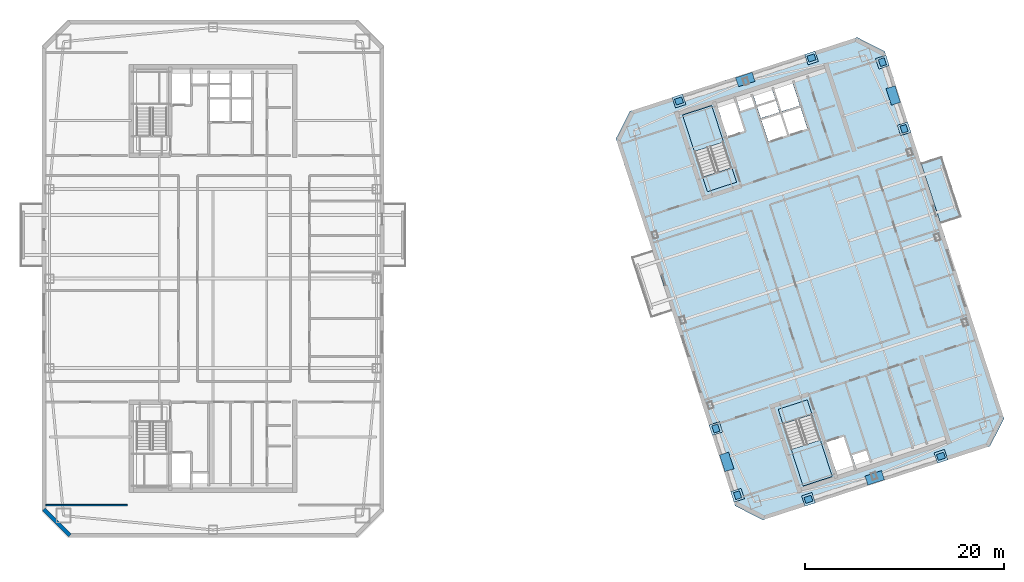
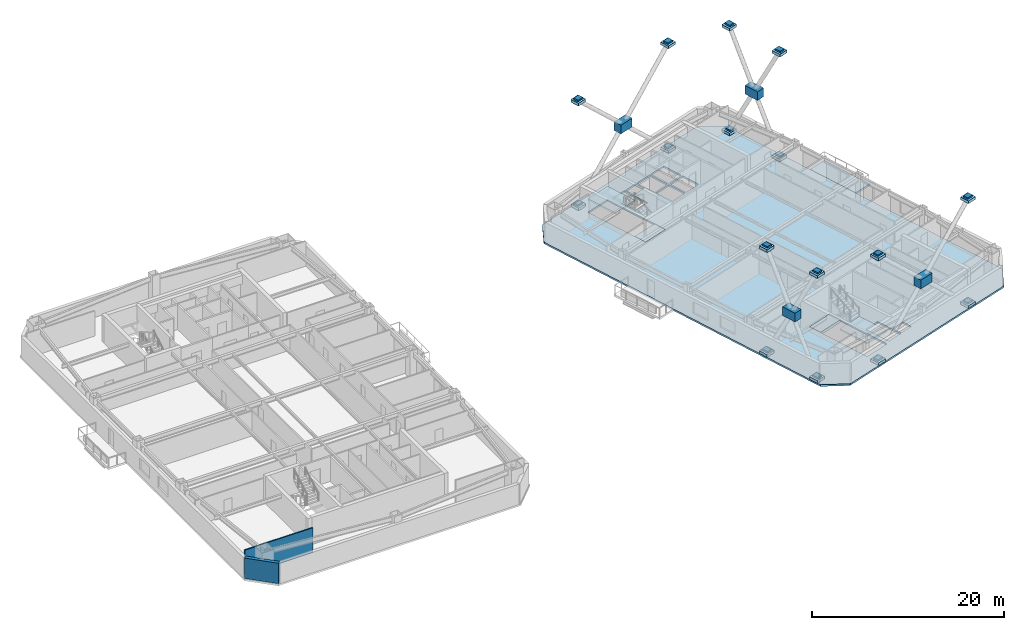
# One storey, part 5 of 16: 36 plates, 6 slabs, 2 walls, 2 elements without a shape of their own.
"""IFC4 building model written with IfcOpenShell, lengths in metres."""

from ifc_helpers import new_model, si_unit, direction, frame, frame_2d, origin, origin_2d, place, context, subcontext, project, spatial, polyline, rectangle, outline, extrude, material, layer, layer_set, type_object, element, aggregate, save


model = new_model("IFC4")

# Units and contexts
model_context = context("Model", 3, precision=1e-05, world=origin(), true_north=direction((0.0, 1.0)))
body_context = subcontext(model_context, "Body", "Model", "MODEL_VIEW")
ifc_project = project(units=[si_unit("LENGTHUNIT", "METRE"), si_unit("AREAUNIT", "SQUARE_METRE"), si_unit("VOLUMEUNIT", "CUBIC_METRE"), si_unit("PLANEANGLEUNIT", "RADIAN"), si_unit("MASSUNIT", "GRAM", prefix="KILO")], contexts=[model_context])

# Site, building, storey
site_placement = place(None, origin())
site = spatial("IfcSite", under=ifc_project, at=site_placement, CompositionType="ELEMENT")
building_placement = place(site_placement, origin())
building = spatial("IfcBuilding", under=site, at=building_placement, Name="Qiaolan Cultural Towers", CompositionType="ELEMENT")
storey_placement = place(building_placement, frame((0.0, 0.0, 198.949951171875)))
storey = spatial("IfcBuildingStorey", under=building, at=storey_placement, Name="L53", CompositionType="ELEMENT", Elevation=198.949951171875)

# Plates
ifc_material_1 = material(Name="Steel Q355B", Category="steel")
ifc_layer_1 = layer(ifc_material_1, 0.035888671875)
ifc_layer_set_1 = layer_set([ifc_layer_1], Name="Steel Q355B")
plate_type_1 = type_object("IfcPlateType", Name="PL-CONN-36", PredefinedType="USERDEFINED", material=ifc_layer_set_1)
for number, where, z_axis, x_axis, name in (
    (1, (82.719482421875, 12.23486328125, -0.2197265625), (0.0, 0.0, 1.0), (-0.309016994375, 0.951056516295, 0.0), "L53 Brace End Connection Gusset Plate GP-02-0556"),
    (2, (80.540771484375, 18.93994140625, 13.1298828125), (0.0, 0.0, 1.0), (-0.309016994375, 0.951056516295, 0.0), "L53 Brace End Connection Gusset Plate GP-02-0557"),
    (3, (80.540771484375, 18.93994140625, -0.2197265625), (0.0, 0.0, 1.0), (-0.309016994375, 0.951056516295, 0.0), "L53 Brace End Connection Gusset Plate GP-02-0558"),
    (4, (82.719482421875, 12.23486328125, 13.1298828125), (0.0, 0.0, 1.0), (-0.309016994375, 0.951056516295, 0.0), "L53 Brace End Connection Gusset Plate GP-02-0559"),
    (5, (99.459228515625, 49.06005859375, -0.2197265625), (0.0, 0.0, 1.0), (-0.309016994375, 0.951056516295, 0.0), "L53 Brace End Connection Gusset Plate GP-02-0560"),
    (6, (97.280517578125, 55.76513671875, 13.1298828125), (0.0, 0.0, 1.0), (-0.309016994375, 0.951056516295, 0.0), "L53 Brace End Connection Gusset Plate GP-02-0561"),
    (7, (97.280517578125, 55.76513671875, -0.2197265625), (0.0, 0.0, 1.0), (-0.309016994375, 0.951056516295, 0.0), "L53 Brace End Connection Gusset Plate GP-02-0562"),
    (8, (99.459228515625, 49.06005859375, 13.1298828125), (0.0, 0.0, 1.0), (-0.309016994375, 0.951056516295, 0.0), "L53 Brace End Connection Gusset Plate GP-02-0563"),
    (9, (89.847412109375, 11.817138671875, -0.2197265625), (0.0, 0.0, 1.0), (0.951056510902, 0.309017010974, 0.0), "L53 Brace End Connection Gusset Plate GP-02-0564"),
    (10, (103.162109375, 16.143310546875, 13.1298828125), (0.0, 0.0, 1.0), (0.951056510902, 0.309017010974, 0.0), "L53 Brace End Connection Gusset Plate GP-02-0565"),
    (11, (103.162109375, 16.143310546875, -0.2197265625), (0.0, 0.0, 1.0), (0.951056510902, 0.309017010974, 0.0), "L53 Brace End Connection Gusset Plate GP-02-0566"),
    (12, (89.847412109375, 11.817138671875, 13.1298828125), (0.0, 0.0, 1.0), (0.951056510902, 0.309017010974, 0.0), "L53 Brace End Connection Gusset Plate GP-02-0567"),
    (13, (76.837890625, 51.856689453125, -0.2197265625), (0.0, 0.0, 1.0), (0.951056510902, 0.309017010974, 0.0), "L53 Brace End Connection Gusset Plate GP-02-0568"),
    (14, (90.152587890625, 56.182861328125, 13.1298828125), (0.0, 0.0, 1.0), (0.951056510902, 0.309017010974, 0.0), "L53 Brace End Connection Gusset Plate GP-02-0569"),
    (15, (90.152587890625, 56.182861328125, -0.2197265625), (0.0, 0.0, 1.0), (0.951056510902, 0.309017010974, 0.0), "L53 Brace End Connection Gusset Plate GP-02-0570"),
    (16, (76.837890625, 51.856689453125, 13.1298828125), (0.0, 0.0, 1.0), (0.951056510902, 0.309017010974, 0.0), "L53 Brace End Connection Gusset Plate GP-02-0571"),
):
    element("IfcPlate", number, at=place(storey_placement, frame(where, z_axis=z_axis, x_axis=x_axis)), inside=storey, type_object=plate_type_1, Name=name, ObjectType="GUSSET_PLATE", PredefinedType="USERDEFINED", context=body_context, shape_type="SweptSolid", body=[
        extrude(rectangle(XDim=0.739990234375, YDim=0.6201171875, at=origin_2d()), origin(), (0.0, 0.0, 1.0), 0.739990234375),
    ])
ifc_material_2 = material(Name="Steel Q355B", Category="steel")
ifc_layer_2 = layer(ifc_material_2, 0.030029296875)
ifc_layer_set_2 = layer_set([ifc_layer_2], Name="Steel Q355B")
plate_type_2 = type_object("IfcPlateType", Name="PL-ENDCAP-30", PredefinedType="USERDEFINED", material=ifc_layer_set_2)
for number, where, z_axis, x_axis, name in (
    (17, (82.719482421875, 12.23486328125, -0.02490234375), (0.0, 0.0, 1.0), (-0.309016994375, 0.951056516295, 0.0), "Hollow Brace End Seal Cap Plate CP-01"),
    (18, (80.540771484375, 18.93994140625, -0.02490234375), (0.0, 0.0, 1.0), (-0.309016994375, 0.951056516295, 0.0), "Hollow Brace End Seal Cap Plate CP-01"),
    (19, (82.719482421875, 12.23486328125, 13.324951171875), (0.0, 0.0, 1.0), (-0.309016994375, 0.951056516295, 0.0), "Hollow Brace End Seal Cap Plate CP-01"),
    (20, (80.540771484375, 18.93994140625, 13.324951171875), (0.0, 0.0, 1.0), (-0.309016994375, 0.951056516295, 0.0), "Hollow Brace End Seal Cap Plate CP-01"),
    (21, (99.459228515625, 49.06005859375, -0.02490234375), (0.0, 0.0, 1.0), (-0.309016994375, 0.951056516295, 0.0), "Hollow Brace End Seal Cap Plate CP-01"),
    (22, (97.280517578125, 55.76513671875, -0.02490234375), (0.0, 0.0, 1.0), (-0.309016994375, 0.951056516295, 0.0), "Hollow Brace End Seal Cap Plate CP-01"),
    (23, (99.459228515625, 49.06005859375, 13.324951171875), (0.0, 0.0, 1.0), (-0.309016994375, 0.951056516295, 0.0), "Hollow Brace End Seal Cap Plate CP-01"),
    (24, (97.280517578125, 55.76513671875, 13.324951171875), (0.0, 0.0, 1.0), (-0.309016994375, 0.951056516295, 0.0), "Hollow Brace End Seal Cap Plate CP-01"),
    (25, (89.847412109375, 11.817138671875, -0.02490234375), (0.0, 0.0, 1.0), (0.951056516295, 0.309016994375, 0.0), "Hollow Brace End Seal Cap Plate CP-01"),
    (26, (103.162109375, 16.143310546875, -0.02490234375), (0.0, 0.0, 1.0), (0.951056516295, 0.309016994375, 0.0), "Hollow Brace End Seal Cap Plate CP-01"),
    (27, (89.847412109375, 11.817138671875, 13.324951171875), (0.0, 0.0, 1.0), (0.951056516295, 0.309016994375, 0.0), "Hollow Brace End Seal Cap Plate CP-01"),
    (28, (103.162109375, 16.143310546875, 13.324951171875), (0.0, 0.0, 1.0), (0.951056516295, 0.309016994375, 0.0), "Hollow Brace End Seal Cap Plate CP-01"),
    (29, (76.837890625, 51.856689453125, -0.02490234375), (0.0, 0.0, 1.0), (0.951056516295, 0.309016994375, 0.0), "Hollow Brace End Seal Cap Plate CP-01"),
    (30, (90.152587890625, 56.182861328125, -0.02490234375), (0.0, 0.0, 1.0), (0.951056516295, 0.309016994375, 0.0), "Hollow Brace End Seal Cap Plate CP-01"),
    (31, (76.837890625, 51.856689453125, 13.324951171875), (0.0, 0.0, 1.0), (0.951056516295, 0.309016994375, 0.0), "Hollow Brace End Seal Cap Plate CP-01"),
    (32, (90.152587890625, 56.182861328125, 13.324951171875), (0.0, 0.0, 1.0), (0.951056516295, 0.309016994375, 0.0), "Hollow Brace End Seal Cap Plate CP-01"),
):
    element("IfcPlate", number, at=place(storey_placement, frame(where, z_axis=z_axis, x_axis=x_axis)), inside=storey, type_object=plate_type_2, Name=name, ObjectType="BASE_PLATE", PredefinedType="USERDEFINED", context=body_context, shape_type="SweptSolid", body=[
        extrude(rectangle(XDim=1.10009765625, YDim=1.10009765625, at=origin_2d()), origin(), (0.0, 0.0, 1.0), 0.35009765625),
    ])
ifc_material_3 = material(Name="Steel Q390GJB", Category="steel")
ifc_layer_3 = layer(ifc_material_3, 0.0439453125)
ifc_layer_set_3 = layer_set([ifc_layer_3], Name="Steel Q390GJB")
plate_type_3 = type_object("IfcPlateType", Name="PL-NODE-ND06", PredefinedType="USERDEFINED", material=ifc_layer_set_3)
plate_1_placement = place(storey_placement, frame((81.630126953125, 15.58740234375, 6.27490234375), z_axis=(0.0, 0.0, 1.0), x_axis=(-0.309016994375, 0.951056516295, 0.0)))
element("IfcPlate", 33, at=plate_1_placement, inside=storey, type_object=plate_type_3, Name="Perimeter Frame Gusset Node Assembly ND-06", ObjectType="GUSSET_PLATE", PredefinedType="USERDEFINED", context=body_context, shape_type="SweptSolid", body=[
    extrude(rectangle(XDim=1.760009765625, YDim=0.9599609375, at=origin_2d()), origin(), (0.0, 0.0, 1.0), 1.10009765625),
])
ifc_material_4 = material(Name="Steel Q390GJB", Category="steel")
ifc_layer_4 = layer(ifc_material_4, 0.0458984375)
ifc_layer_set_4 = layer_set([ifc_layer_4], Name="Steel Q390GJB")
plate_type_4 = type_object("IfcPlateType", Name="PL-NODE-ND07", PredefinedType="USERDEFINED", material=ifc_layer_set_4)
plate_2_placement = place(storey_placement, frame((98.369873046875, 52.41259765625, 6.27490234375), z_axis=(0.0, 0.0, 1.0), x_axis=(-0.309016994375, 0.951056516295, 0.0)))
element("IfcPlate", 34, at=plate_2_placement, inside=storey, type_object=plate_type_4, Name="Perimeter Frame Gusset Node Assembly ND-07", ObjectType="GUSSET_PLATE", PredefinedType="USERDEFINED", context=body_context, shape_type="SweptSolid", body=[
    extrude(rectangle(XDim=1.760009765625, YDim=0.9599609375, at=origin_2d()), origin(), (0.0, 0.0, 1.0), 1.10009765625),
])
ifc_material_5 = material(Name="Steel Q390GJB", Category="steel")
ifc_layer_5 = layer(ifc_material_5, 0.0400390625)
ifc_layer_set_5 = layer_set([ifc_layer_5], Name="Steel Q390GJB")
plate_type_5 = type_object("IfcPlateType", Name="PL-NODE-ND08", PredefinedType="USERDEFINED", material=ifc_layer_set_5)
plate_3_placement = place(storey_placement, frame((96.5048828125, 13.980224609375, 6.27490234375), z_axis=(0.0, 0.0, 1.0), x_axis=(0.951056516295, 0.309016994375, 0.0)))
element("IfcPlate", 35, at=plate_3_placement, inside=storey, type_object=plate_type_5, Name="Perimeter Frame Gusset Node Assembly ND-08", ObjectType="GUSSET_PLATE", PredefinedType="USERDEFINED", context=body_context, shape_type="SweptSolid", body=[
    extrude(rectangle(XDim=1.760009765625, YDim=0.9599609375, at=origin_2d()), origin(), (0.0, 0.0, 1.0), 1.10009765625),
])
ifc_material_6 = material(Name="Steel Q390GJB", Category="steel")
ifc_layer_6 = layer(ifc_material_6, 0.0419921875)
ifc_layer_set_6 = layer_set([ifc_layer_6], Name="Steel Q390GJB")
plate_type_6 = type_object("IfcPlateType", Name="PL-NODE-ND09", PredefinedType="USERDEFINED", material=ifc_layer_set_6)
plate_4_placement = place(storey_placement, frame((83.4951171875, 54.019775390625, 6.27490234375), z_axis=(0.0, 0.0, 1.0), x_axis=(0.951056516295, 0.309016994375, 0.0)))
element("IfcPlate", 36, at=plate_4_placement, inside=storey, type_object=plate_type_6, Name="Perimeter Frame Gusset Node Assembly ND-09", ObjectType="GUSSET_PLATE", PredefinedType="USERDEFINED", context=body_context, shape_type="SweptSolid", body=[
    extrude(rectangle(XDim=1.760009765625, YDim=0.9599609375, at=origin_2d()), origin(), (0.0, 0.0, 1.0), 1.10009765625),
])

# Slab
ifc_material_7 = material(Name="Concrete C45", Category="concrete")
ifc_layer_7 = layer(ifc_material_7, 0.239990234375)
ifc_layer_set_7 = layer_set([ifc_layer_7], Name="Concrete C45")
slab_type_1 = type_object("IfcSlabType", Name="SL-BAL-240", PredefinedType="FLOOR", material=ifc_layer_set_7)
slab_1_placement = place(storey_placement, frame((0.0, 0.0, -0.239990234375)))
element("IfcSlab", 37, at=slab_1_placement, inside=storey, type_object=slab_type_1, Name="L53 T2 Planted Tree Balcony E", PredefinedType="FLOOR", context=body_context, shape_type="SweptSolid", body=[
    extrude(outline(polyline([(103.13427734375, 39.529296875), (105.2265625, 40.209228515625), (103.248779296875, 46.2958984375), (101.156494140625, 45.615966796875), (103.13427734375, 39.529296875)])), origin(), (0.0, 0.0, 1.0), 0.239990234375),
])

# Stair, slab
ifc_material_8 = material(Name="Concrete C45", Category="concrete")
stair_type = type_object("IfcStairType", Name="STR-CORE-1500", PredefinedType="HALF_TURN_STAIR", material=ifc_material_8)
stair_1_placement = place(storey_placement, origin())
stair_1 = element("IfcStair", 38, at=stair_1_placement, inside=storey, type_object=stair_type, Name="L53 Smokeproof Exit Stair ST-E1", PredefinedType="HALF_TURN_STAIR")
ifc_material_9 = material(Name="Concrete C45", Category="concrete")
ifc_layer_8 = layer(ifc_material_9, 0.199951171875)
ifc_layer_set_8 = layer_set([ifc_layer_8], Name="Concrete C45")
slab_type_2 = type_object("IfcSlabType", Name="SL-STAIR-LAND", PredefinedType="LANDING", material=ifc_layer_set_8)
slab_2_placement = place(storey_placement, frame((0.0, 0.0, 1.525146484375)))
slab_2 = element("IfcSlab", 39, at=slab_2_placement, type_object=slab_type_2, Name="ST-E1 landing 1", PredefinedType="LANDING", context=body_context, shape_type="SweptSolid", body=[
    extrude(outline(polyline([(88.114013671875, 16.828125), (89.30419921875, 13.165283203125), (92.2333984375, 14.116943359375), (91.04345703125, 17.77978515625), (88.114013671875, 16.828125)])), origin(), (0.0, 0.0, 1.0), 0.199951171875),
])
aggregate(stair_1, [slab_2])

stair_2_placement = place(storey_placement, origin())
stair_2 = element("IfcStair", 40, at=stair_2_placement, inside=storey, type_object=stair_type, Name="L53 Smokeproof Exit Stair ST-E2", PredefinedType="HALF_TURN_STAIR")
slab_3_placement = place(storey_placement, frame((0.0, 0.0, 1.525146484375)))
slab_3 = element("IfcSlab", 41, at=slab_3_placement, type_object=slab_type_2, Name="ST-E2 landing 1", PredefinedType="LANDING", context=body_context, shape_type="SweptSolid", body=[
    extrude(outline(polyline([(81.31005859375, 47.735595703125), (80.1201171875, 51.3984375), (77.190673828125, 50.44677734375), (78.380859375, 46.783935546875), (81.31005859375, 47.735595703125)])), origin(), (0.0, 0.0, 1.0), 0.199951171875),
])
aggregate(stair_2, [slab_3])

# Slabs
ifc_material_10 = material(Name="Concrete C40", Category="concrete")
ifc_layer_9 = layer(ifc_material_10, 0.360107421875)
ifc_layer_set_9 = layer_set([ifc_layer_9], Name="Concrete C40")
slab_type_3 = type_object("IfcSlabType", Name="SL-STFLR-360", PredefinedType="LANDING", material=ifc_layer_set_9)
slab_4_placement = place(storey_placement, frame((0.0, 0.0, -0.35986328125)))
element("IfcSlab", 42, at=slab_4_placement, inside=storey, type_object=slab_type_3, Name="L53 ST-E1 Stair Floor Landing Slab", PredefinedType="LANDING", context=body_context, shape_type="SweptSolid", body=[
    extrude(outline(polyline([(86.8037109375, 20.867431640625), (87.282470703125, 19.39404296875), (90.2080078125, 20.3447265625), (89.729248046875, 21.818115234375), (86.8037109375, 20.867431640625)])), origin(), (0.0, 0.0, 1.0), 0.35986328125),
])
slab_5_placement = place(storey_placement, frame((0.0, 0.0, -0.35986328125)))
element("IfcSlab", 43, at=slab_5_placement, inside=storey, type_object=slab_type_3, Name="L53 ST-E2 Stair Floor Landing Slab", PredefinedType="LANDING", context=body_context, shape_type="SweptSolid", body=[
    extrude(outline(polyline([(82.62060546875, 43.6962890625), (82.141845703125, 45.169677734375), (79.21630859375, 44.21923828125), (79.695068359375, 42.74560546875), (82.62060546875, 43.6962890625)])), origin(), (0.0, 0.0, 1.0), 0.35986328125),
])
ifc_material_11 = material(Name="Concrete C45", Category="concrete")
ifc_layer_10 = layer(ifc_material_11, 0.219970703125)
ifc_layer_set_10 = layer_set([ifc_layer_10], Name="Concrete C45")
slab_type_4 = type_object("IfcSlabType", Name="SL-TYP-220", PredefinedType="FLOOR", material=ifc_layer_set_10)
slab_6_placement = place(storey_placement, frame((0.0, 0.0, -0.219970703125)))
element("IfcSlab", 44, at=slab_6_placement, inside=storey, type_object=slab_type_4, Name="L53 East Tower Floor Slab", PredefinedType="FLOOR", context=body_context, shape_type="SweptSolid", body=[
    extrude(outline(polyline([(85.26220703125, 9.7490234375), (108.08740234375, 17.165283203125), (109.5, 19.9375), (97.510009765625, 56.838623046875), (94.73779296875, 58.2509765625), (71.91259765625, 50.834716796875), (70.5, 48.0625), (82.489990234375, 11.161376953125), (85.26220703125, 9.7490234375)]), holes=[polyline([(86.80126953125, 20.868896484375), (89.30419921875, 13.165283203125), (92.2333984375, 14.116943359375), (89.73046875, 21.820556640625), (86.80126953125, 20.868896484375)]), polyline([(82.623046875, 43.69482421875), (80.1201171875, 51.3984375), (77.190673828125, 50.44677734375), (79.69384765625, 42.7431640625), (82.623046875, 43.69482421875)]), polyline([(92.666259765625, 14.468017578125), (94.42578125, 15.03955078125), (93.42138671875, 18.130615234375), (91.661865234375, 17.558837890625), (92.666259765625, 14.468017578125)]), polyline([(94.5908203125, 15.14599609375), (96.027099609375, 15.612548828125), (95.66552734375, 16.725341796875), (94.2294921875, 16.258544921875), (94.5908203125, 15.14599609375)]), polyline([(81.6806640625, 48.278076171875), (83.440185546875, 48.849609375), (82.435791015625, 51.940673828125), (80.67626953125, 51.368896484375), (81.6806640625, 48.278076171875)]), polyline([(82.993408203125, 50.839111328125), (84.4296875, 51.3056640625), (84.068115234375, 52.41845703125), (82.632080078125, 51.95166015625), (82.993408203125, 50.839111328125)]), polyline([(85.810302734375, 47.80078125), (87.71240234375, 48.418701171875), (87.013916015625, 50.568115234375), (85.11181640625, 49.9501953125), (85.810302734375, 47.80078125)]), polyline([(87.902587890625, 48.480712890625), (89.74755859375, 49.080078125), (89.04931640625, 51.2294921875), (87.2041015625, 50.6298828125), (87.902587890625, 48.480712890625)]), polyline([(85.05322265625, 50.130859375), (86.936279296875, 50.74267578125), (86.169921875, 53.101318359375), (84.286865234375, 52.489501953125), (85.05322265625, 50.130859375)]), polyline([(87.1455078125, 50.810791015625), (88.990478515625, 51.41015625), (88.22412109375, 53.768798828125), (86.379150390625, 53.169189453125), (87.1455078125, 50.810791015625)])]), origin(), (0.0, 0.0, 1.0), 0.219970703125),
])

# Walls
ifc_material_12 = material(Name="Precast Concrete C50 Honed Stone Pier", Category="masonry")
ifc_layer_11 = layer(ifc_material_12, 0.39990234375)
ifc_layer_set_11 = layer_set([ifc_layer_11], Name="Precast Concrete C50 Honed Stone Pier")
wall_type_1 = type_object("IfcWallType", Name="WL-EXT-PIER-400", PredefinedType="SOLIDWALL", material=ifc_layer_set_11)
wall_1_placement = place(storey_placement, frame((15.60009765625, 8.199951171875, 0.0), z_axis=(0.0, 0.0, 1.0), x_axis=(-0.707106781187, 0.707106781187, 0.0)))
element("IfcWall", 45, at=wall_1_placement, inside=storey, type_object=wall_type_1, Name="L53 West Tower Precast Pier Facade Wall F8", PredefinedType="SOLIDWALL", context=body_context, shape_type="SweptSolid", body=[
    extrude(rectangle(XDim=3.677001953125, YDim=0.39990234375, at=frame_2d((1.83837890625, 0.0))), origin(), (0.0, 0.0, 1.0), 2.610107421875),
])
ifc_material_13 = material(Name="Autoclaved Aerated Concrete Block B06", Category="concrete")
ifc_layer_12 = layer(ifc_material_13, 0.14990234375)
ifc_layer_set_12 = layer_set([ifc_layer_12], Name="Autoclaved Aerated Concrete Block B06")
wall_type_2 = type_object("IfcWallType", Name="WL-PART-150", PredefinedType="PARTITIONING", material=ifc_layer_set_12)
wall_2_placement = place(storey_placement, frame((13.199951171875, 11.25, 0.0), z_axis=(0.0, 0.0, 1.0), x_axis=(1.0, 0.0, 0.0)))
element("IfcWall", 46, at=wall_2_placement, inside=storey, type_object=wall_type_2, Name="L53 T1 Flank Wall FLK-SW", PredefinedType="PARTITIONING", context=body_context, shape_type="SweptSolid", body=[
    extrude(rectangle(XDim=8.199951171875, YDim=0.14990234375, at=frame_2d((4.10009765625, 0.0))), origin(), (0.0, 0.0, 1.0), 3.175048828125),
])

save(model, "model.ifc")
